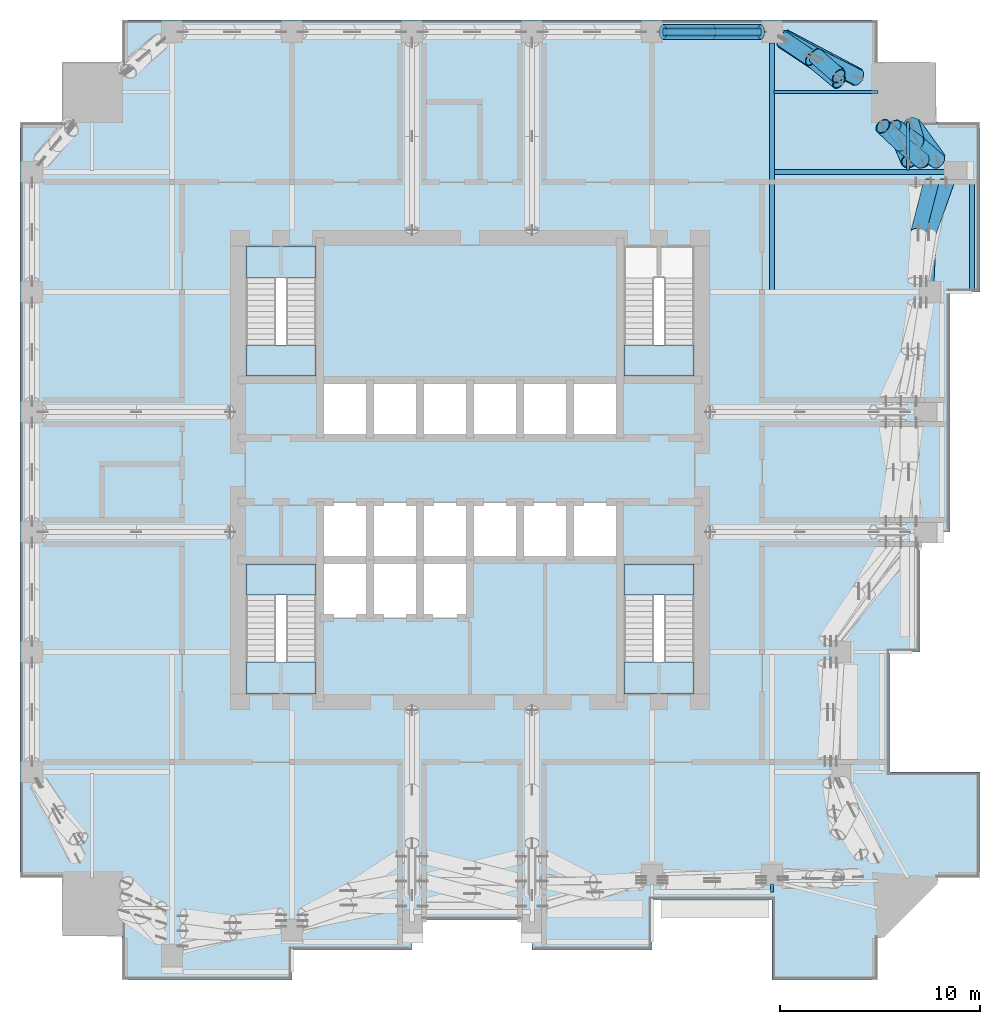
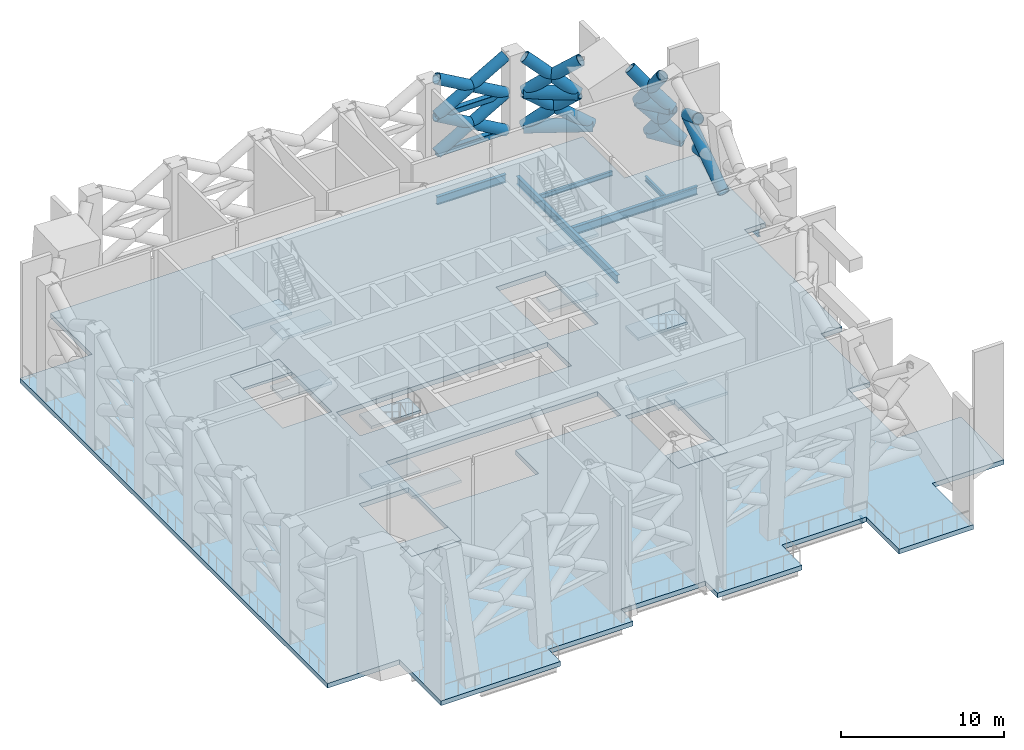
# One storey, part 6 of 19: 21 members, 15 slabs, 13 beams, 4 elements without a shape of their own.
"""IFC4 building model written with IfcOpenShell, lengths in metres."""

from ifc_helpers import new_model, si_unit, direction, frame, origin, origin_2d, place, context, subcontext, project, spatial, polyline, hollow_rectangle, hollow_circle, i_section, outline, extrude, material, layer, layer_set, material_profile, profile_set, type_object, element, aggregate, save


model = new_model("IFC4")

# Units and contexts
model_context = context("Model", 3, precision=1e-05, world=origin(), true_north=direction((0.0, 1.0)))
body_context = subcontext(model_context, "Body", "Model", "MODEL_VIEW")
ifc_project = project(units=[si_unit("LENGTHUNIT", "METRE"), si_unit("AREAUNIT", "SQUARE_METRE"), si_unit("VOLUMEUNIT", "CUBIC_METRE"), si_unit("PLANEANGLEUNIT", "RADIAN"), si_unit("MASSUNIT", "GRAM", prefix="KILO")], contexts=[model_context])

# Site, building, storey
site_placement = place(None, origin())
site = spatial("IfcSite", under=ifc_project, at=site_placement, CompositionType="ELEMENT")
building_placement = place(site_placement, origin())
building = spatial("IfcBuilding", under=site, at=building_placement, Name="Amberfall Residences", CompositionType="ELEMENT")
storey_placement = place(building_placement, frame((0.0, 0.0, 124.89990234375)))
storey = spatial("IfcBuildingStorey", under=building, at=storey_placement, Name="L34", CompositionType="ELEMENT", Elevation=124.89990234375)

# Beams
ifc_material_1 = material(Name="Steel S355", Category="steel")
ifc_material_profile_1 = material_profile(ifc_material_1, hollow_circle(Radius=0.457275390625, WallThickness=0.06005859375, at=origin_2d()), Name="CHS 914.4x60")
ifc_profile_set_1 = profile_set([ifc_material_profile_1], Name="Steel S355")
beam_type_1 = type_object("IfcBeamType", Name="Belt truss chord BT CHS 914.4x60", PredefinedType="BEAM", material=ifc_profile_set_1)
beam_1_placement = place(storey_placement, frame((96.57568359375, 62.7841796875, 3.0), z_axis=(0.582281802343, -0.812987024903, 0.0), x_axis=(0.812987024903, 0.582281802343, 0.0)))
element("IfcBeam", 1, at=beam_1_placement, inside=storey, type_object=beam_type_1, Name="Belt truss chord BT2 L34 NEE", PredefinedType="BEAM", context=body_context, shape_type="SweptSolid", body=[
    extrude(hollow_circle(Radius=0.457275390625, WallThickness=0.06005859375, at=origin_2d()), origin(), (0.0, 0.0, 1.0), 2.256103515625),
])
beam_2_placement = place(storey_placement, frame((95.737548828125, 62.64990234375, 5.646484375), z_axis=(0.631032925413, -0.775756048668, 0.0), x_axis=(0.775756048668, 0.631032925413, 0.0)))
element("IfcBeam", 2, at=beam_2_placement, inside=storey, type_object=beam_type_1, Name="Belt truss chord BT2 L34 NEEm", PredefinedType="BEAM", context=body_context, shape_type="SweptSolid", body=[
    extrude(hollow_circle(Radius=0.457275390625, WallThickness=0.06005859375, at=origin_2d()), origin(), (0.0, 0.0, 1.0), 2.19140625),
])
beam_3_placement = place(storey_placement, frame((93.914794921875, 65.11865234375, 3.0), z_axis=(-0.884049935487, 0.467392459894, 0.0), x_axis=(-0.467392459894, -0.884049935487, 0.0)))
element("IfcBeam", 3, at=beam_3_placement, inside=storey, type_object=beam_type_1, Name="Belt truss chord BT2 L34 NEN", PredefinedType="BEAM", context=body_context, shape_type="SweptSolid", body=[
    extrude(hollow_circle(Radius=0.457275390625, WallThickness=0.06005859375, at=origin_2d()), origin(), (0.0, 0.0, 1.0), 4.2587890625),
])
beam_4_placement = place(storey_placement, frame((92.934326171875, 65.193603515625, 5.646484375), z_axis=(-0.833980207781, 0.551794357555, 0.0), x_axis=(-0.551794357555, -0.833980207781, 0.0)))
element("IfcBeam", 4, at=beam_4_placement, inside=storey, type_object=beam_type_1, Name="Belt truss chord BT2 L34 NENm", PredefinedType="BEAM", context=body_context, shape_type="SweptSolid", body=[
    extrude(hollow_circle(Radius=0.457275390625, WallThickness=0.06005859375, at=origin_2d()), origin(), (0.0, 0.0, 1.0), 3.338623046875),
])
ifc_material_profile_2 = material_profile(ifc_material_1, hollow_rectangle(XDim=0.39990234375, YDim=0.39990234375, WallThickness=0.02001953125, InnerFilletRadius=0.02001953125, OuterFilletRadius=0.030029296875, at=origin_2d()), Name="RHS 400x400x20")
ifc_profile_set_2 = profile_set([ifc_material_profile_2], Name="Steel S355")
beam_type_2 = type_object("IfcBeamType", Name="Belt truss chord BT RHS 400x400x20", PredefinedType="BEAM", material=ifc_profile_set_2)
for number, where, z_axis, x_axis, name in (
    (5, (84.14990234375, 67.39990234375, 2.900146484375), (1.0, 0.0, 0.0), (0.0, 1.0, 0.0), "Belt truss chord BT3 L34 N5"),
    (6, (84.14990234375, 67.39990234375, 5.7001953125), (1.0, 0.0, 0.0), (0.0, 1.0, 0.0), "Belt truss chord BT3 L34 N5m"),
):
    element("IfcBeam", number, at=place(storey_placement, frame(where, z_axis=z_axis, x_axis=x_axis)), inside=storey, type_object=beam_type_2, Name=name, PredefinedType="BEAM", context=body_context, shape_type="SweptSolid", body=[
        extrude(hollow_rectangle(XDim=0.39990234375, YDim=0.39990234375, WallThickness=0.02001953125, InnerFilletRadius=0.02001953125, OuterFilletRadius=0.030029296875, at=origin_2d()), origin(), (0.0, 0.0, 1.0), 4.900146484375),
    ])

# Members
ifc_material_profile_3 = material_profile(ifc_material_1, hollow_circle(Radius=0.381103515625, WallThickness=0.0400390625, at=origin_2d()), Name="CHS 762x40")
ifc_profile_set_3 = profile_set([ifc_material_profile_3], Name="Steel S355")
member_type_1 = type_object("IfcMemberType", Name="Belt truss diagonal BT CHS 762x40", PredefinedType="BRACE", material=ifc_profile_set_3)
member_1_placement = place(storey_placement, frame((97.321533203125, 54.949951171875, 2.900146484375), z_axis=(0.041017977485, 0.867515096006, 0.495716737387), x_axis=(-0.998884069956, 0.047229384803, 0.0)))
element("IfcMember", 7, at=member_1_placement, inside=storey, type_object=member_type_1, Name="Belt truss diagonal BT4 L34 E5d", PredefinedType="BRACE", context=body_context, shape_type="SweptSolid", body=[
    extrude(hollow_circle(Radius=0.381103515625, WallThickness=0.0400390625, at=origin_2d()), origin(), (0.0, 0.0, 1.0), 5.6484375),
])
member_2_placement = place(storey_placement, frame((97.4365234375, 57.380859375, 4.2890625), z_axis=(0.294723209264, 0.832866873007, -0.468477322576), x_axis=(-0.942716410506, 0.333595217837, 0.0)))
element("IfcMember", 8, at=member_2_placement, inside=storey, type_object=member_type_1, Name="Belt truss diagonal BT4 L34 E5e2", PredefinedType="BRACE", context=body_context, shape_type="SweptSolid", body=[
    extrude(hollow_circle(Radius=0.381103515625, WallThickness=0.0400390625, at=origin_2d()), origin(), (0.0, 0.0, 1.0), 2.96484375),
])
member_3_placement = place(storey_placement, frame((96.91650390625, 57.36962890625, 7.082763671875), z_axis=(0.218783914116, 0.852317702231, -0.475066451549), x_axis=(-0.968597962407, 0.24863223287, 0.0)))
element("IfcMember", 9, at=member_3_placement, inside=storey, type_object=member_type_1, Name="Belt truss diagonal BT4 L34 E5e2u", PredefinedType="BRACE", context=body_context, shape_type="SweptSolid", body=[
    extrude(hollow_circle(Radius=0.381103515625, WallThickness=0.0400390625, at=origin_2d()), origin(), (0.0, 0.0, 1.0), 2.91015625),
])
member_4_placement = place(storey_placement, frame((84.14990234375, 67.39990234375, 2.900146484375), z_axis=(0.868245804187, 0.0, 0.496134279718), x_axis=(0.0, 1.0, 0.0)))
element("IfcMember", 10, at=member_4_placement, inside=storey, type_object=member_type_1, Name="Belt truss diagonal BT4 L34 N5d", PredefinedType="BRACE", context=body_context, shape_type="SweptSolid", body=[
    extrude(hollow_circle(Radius=0.381103515625, WallThickness=0.0400390625, at=origin_2d()), origin(), (0.0, 0.0, 1.0), 5.643798828125),
])
member_5_placement = place(storey_placement, frame((84.14990234375, 67.39990234375, 5.7001953125), z_axis=(0.868237818238, 0.0, -0.496148255042), x_axis=(0.0, 1.0, 0.0)))
element("IfcMember", 11, at=member_5_placement, inside=storey, type_object=member_type_1, Name="Belt truss diagonal BT4 L34 N5e", PredefinedType="BRACE", context=body_context, shape_type="SweptSolid", body=[
    extrude(hollow_circle(Radius=0.381103515625, WallThickness=0.0400390625, at=origin_2d()), origin(), (0.0, 0.0, 1.0), 2.822021484375),
])
member_6_placement = place(storey_placement, frame((86.60009765625, 67.39990234375, 4.300048828125), z_axis=(0.868253790854, 0.0, -0.496120302616), x_axis=(0.0, 1.0, 0.0)))
element("IfcMember", 12, at=member_6_placement, inside=storey, type_object=member_type_1, Name="Belt truss diagonal BT4 L34 N5e2", PredefinedType="BRACE", context=body_context, shape_type="SweptSolid", body=[
    extrude(hollow_circle(Radius=0.381103515625, WallThickness=0.0400390625, at=origin_2d()), origin(), (0.0, 0.0, 1.0), 2.82177734375),
])
member_7_placement = place(storey_placement, frame((84.14990234375, 67.39990234375, 5.7001953125), z_axis=(0.868264438383, 0.0, 0.496101668047), x_axis=(0.0, 1.0, 0.0)))
element("IfcMember", 13, at=member_7_placement, inside=storey, type_object=member_type_1, Name="Belt truss diagonal BT4 L34 N5du", PredefinedType="BRACE", context=body_context, shape_type="SweptSolid", body=[
    extrude(hollow_circle(Radius=0.381103515625, WallThickness=0.0400390625, at=origin_2d()), origin(), (0.0, 0.0, 1.0), 5.6435546875),
])
member_8_placement = place(storey_placement, frame((84.14990234375, 67.39990234375, 8.5), z_axis=(0.868275084713, 0.0, -0.49608303465), x_axis=(0.0, 1.0, 0.0)))
element("IfcMember", 14, at=member_8_placement, inside=storey, type_object=member_type_1, Name="Belt truss diagonal BT4 L34 N5eu", PredefinedType="BRACE", context=body_context, shape_type="SweptSolid", body=[
    extrude(hollow_circle(Radius=0.381103515625, WallThickness=0.0400390625, at=origin_2d()), origin(), (0.0, 0.0, 1.0), 2.822021484375),
])
member_9_placement = place(storey_placement, frame((86.60009765625, 67.39990234375, 7.10009765625), z_axis=(0.868253790854, 0.0, -0.496120302616), x_axis=(0.0, 1.0, 0.0)))
element("IfcMember", 15, at=member_9_placement, inside=storey, type_object=member_type_1, Name="Belt truss diagonal BT4 L34 N5e2u", PredefinedType="BRACE", context=body_context, shape_type="SweptSolid", body=[
    extrude(hollow_circle(Radius=0.381103515625, WallThickness=0.0400390625, at=origin_2d()), origin(), (0.0, 0.0, 1.0), 2.82177734375),
])
ifc_material_profile_4 = material_profile(ifc_material_1, hollow_circle(Radius=0.406494140625, WallThickness=0.050048828125, at=origin_2d()), Name="CHS 813x50")
ifc_profile_set_4 = profile_set([ifc_material_profile_4], Name="Steel S355")
member_type_2 = type_object("IfcMemberType", Name="Belt truss diagonal BT CHS 813x50", PredefinedType="BRACE", material=ifc_profile_set_4)
member_10_placement = place(storey_placement, frame((96.57568359375, 62.7841796875, 3.0), z_axis=(0.166786255594, -0.561660752254, 0.810382344528), x_axis=(0.958626738281, 0.28466607921, 0.0)))
element("IfcMember", 16, at=member_10_placement, inside=storey, type_object=member_type_2, Name="Belt truss diagonal BT5 L34 NEEd", PredefinedType="BRACE", context=body_context, shape_type="SweptSolid", body=[
    extrude(hollow_circle(Radius=0.406494140625, WallThickness=0.050048828125, at=origin_2d()), origin(), (0.0, 0.0, 1.0), 3.265625),
])
member_11_placement = place(storey_placement, frame((95.737548828125, 62.64990234375, 5.646484375), z_axis=(0.591207674609, -0.425209280951, -0.685325143911), x_axis=(0.58388842243, 0.811833917838, 0.0)))
element("IfcMember", 17, at=member_11_placement, inside=storey, type_object=member_type_2, Name="Belt truss diagonal BT5 L34 NEEe", PredefinedType="BRACE", context=body_context, shape_type="SweptSolid", body=[
    extrude(hollow_circle(Radius=0.406494140625, WallThickness=0.050048828125, at=origin_2d()), origin(), (0.0, 0.0, 1.0), 1.888427734375),
])
member_12_placement = place(storey_placement, frame((96.85400390625, 61.846923828125, 4.352294921875), z_axis=(0.537892798241, -0.465979283362, -0.702520209729), x_axis=(0.654774470254, 0.755824313649, 0.0)))
element("IfcMember", 18, at=member_12_placement, inside=storey, type_object=member_type_2, Name="Belt truss diagonal BT5 L34 NEEe2", PredefinedType="BRACE", context=body_context, shape_type="SweptSolid", body=[
    extrude(hollow_circle(Radius=0.406494140625, WallThickness=0.050048828125, at=origin_2d()), origin(), (0.0, 0.0, 1.0), 1.9248046875),
])
member_13_placement = place(storey_placement, frame((95.737548828125, 62.64990234375, 5.646484375), z_axis=(0.221325494813, -0.527048365384, 0.820509016338), x_axis=(0.922003850607, 0.387180706474, 0.0)))
element("IfcMember", 19, at=member_13_placement, inside=storey, type_object=member_type_2, Name="Belt truss diagonal BT5 L34 NEEdu", PredefinedType="BRACE", context=body_context, shape_type="SweptSolid", body=[
    extrude(hollow_circle(Radius=0.406494140625, WallThickness=0.050048828125, at=origin_2d()), origin(), (0.0, 0.0, 1.0), 3.225341796875),
])
member_14_placement = place(storey_placement, frame((95.14599609375, 62.6904296875, 8.29296875), z_axis=(0.511154609372, -0.479972204631, -0.712985026561), x_axis=(0.684521396105, 0.7289927697, 0.0)))
element("IfcMember", 20, at=member_14_placement, inside=storey, type_object=member_type_2, Name="Belt truss diagonal BT5 L34 NEEeu", PredefinedType="BRACE", context=body_context, shape_type="SweptSolid", body=[
    extrude(hollow_circle(Radius=0.406494140625, WallThickness=0.050048828125, at=origin_2d()), origin(), (0.0, 0.0, 1.0), 1.85546875),
])
member_15_placement = place(storey_placement, frame((96.094482421875, 61.7998046875, 6.969970703125), z_axis=(0.546307049607, -0.452568976602, -0.704790698695), x_axis=(0.637946454188, 0.770080724073, 0.0)))
element("IfcMember", 21, at=member_15_placement, inside=storey, type_object=member_type_2, Name="Belt truss diagonal BT5 L34 NEEe2u", PredefinedType="BRACE", context=body_context, shape_type="SweptSolid", body=[
    extrude(hollow_circle(Radius=0.406494140625, WallThickness=0.050048828125, at=origin_2d()), origin(), (0.0, 0.0, 1.0), 1.8779296875),
])
member_16_placement = place(storey_placement, frame((93.914794921875, 65.11865234375, 3.0), z_axis=(-0.755185510672, 0.384571157208, 0.530848254697), x_axis=(-0.453789005236, -0.891109162071, 0.0)))
element("IfcMember", 22, at=member_16_placement, inside=storey, type_object=member_type_2, Name="Belt truss diagonal BT5 L34 NENd", PredefinedType="BRACE", context=body_context, shape_type="SweptSolid", body=[
    extrude(hollow_circle(Radius=0.406494140625, WallThickness=0.050048828125, at=origin_2d()), origin(), (0.0, 0.0, 1.0), 4.9853515625),
])
member_17_placement = place(storey_placement, frame((92.934326171875, 65.193603515625, 5.646484375), z_axis=(-0.597491120224, 0.526543843433, -0.6047775973), x_axis=(-0.661159641741, -0.750245245325, 0.0)))
element("IfcMember", 23, at=member_17_placement, inside=storey, type_object=member_type_2, Name="Belt truss diagonal BT5 L34 NENe", PredefinedType="BRACE", context=body_context, shape_type="SweptSolid", body=[
    extrude(hollow_circle(Radius=0.406494140625, WallThickness=0.050048828125, at=origin_2d()), origin(), (0.0, 0.0, 1.0), 1.909912109375),
])
member_18_placement = place(storey_placement, frame((91.793212890625, 66.19921875, 4.491455078125), z_axis=(-0.68513822554, 0.3793656465, -0.621825794061), x_axis=(-0.484406483465, -0.874843048082, 0.0)))
element("IfcMember", 24, at=member_18_placement, inside=storey, type_object=member_type_2, Name="Belt truss diagonal BT5 L34 NENe2", PredefinedType="BRACE", context=body_context, shape_type="SweptSolid", body=[
    extrude(hollow_circle(Radius=0.406494140625, WallThickness=0.050048828125, at=origin_2d()), origin(), (0.0, 0.0, 1.0), 2.3984375),
])
member_19_placement = place(storey_placement, frame((92.934326171875, 65.193603515625, 5.646484375), z_axis=(-0.656332358895, 0.424357283165, 0.623817866762), x_axis=(-0.542955104012, -0.83976172515, 0.0)))
element("IfcMember", 25, at=member_19_placement, inside=storey, type_object=member_type_2, Name="Belt truss diagonal BT5 L34 NENdu", PredefinedType="BRACE", context=body_context, shape_type="SweptSolid", body=[
    extrude(hollow_circle(Radius=0.406494140625, WallThickness=0.050048828125, at=origin_2d()), origin(), (0.0, 0.0, 1.0), 4.242431640625),
])
member_20_placement = place(storey_placement, frame((92.94970703125, 64.92578125, 8.29296875), z_axis=(-0.614434508806, 0.512083083997, -0.600200924252), x_axis=(-0.640224483389, -0.768187874722, 0.0)))
element("IfcMember", 26, at=member_20_placement, inside=storey, type_object=member_type_2, Name="Belt truss diagonal BT5 L34 NENeu", PredefinedType="BRACE", context=body_context, shape_type="SweptSolid", body=[
    extrude(hollow_circle(Radius=0.406494140625, WallThickness=0.050048828125, at=origin_2d()), origin(), (0.0, 0.0, 1.0), 2.2470703125),
])
member_21_placement = place(storey_placement, frame((91.569091796875, 66.076416015625, 6.9443359375), z_axis=(-0.660330641092, 0.446430314724, -0.603873677627), x_axis=(-0.560082169138, -0.828437060865, 0.0)))
element("IfcMember", 27, at=member_21_placement, inside=storey, type_object=member_type_2, Name="Belt truss diagonal BT5 L34 NENe2u", PredefinedType="BRACE", context=body_context, shape_type="SweptSolid", body=[
    extrude(hollow_circle(Radius=0.406494140625, WallThickness=0.050048828125, at=origin_2d()), origin(), (0.0, 0.0, 1.0), 2.149169921875),
])

# Beams
ifc_material_profile_5 = material_profile(ifc_material_1, i_section(OverallWidth=0.171142578125, OverallDepth=0.351318359375, WebThickness=0.007080078125, FlangeThickness=0.009765625, FilletRadius=0.01025390625, at=origin_2d()), Name="UB 356x171x45")
ifc_profile_set_5 = profile_set([ifc_material_profile_5], Name="Steel S355")
beam_type_3 = type_object("IfcBeamType", Name="Cantilever girder UB 356x171x45", PredefinedType="BEAM", material=ifc_profile_set_5)
beam_5_placement = place(storey_placement, frame((89.60009765625, 24.800048828125, -0.525634765625), z_axis=(0.0, -1.0, 0.0), x_axis=(1.0, 0.0, 0.0)))
element("IfcBeam", 28, at=beam_5_placement, inside=storey, type_object=beam_type_3, Name="Cantilever girder B8 L34 08", PredefinedType="BEAM", context=body_context, shape_type="SweptSolid", body=[
    extrude(i_section(OverallWidth=0.171142578125, OverallDepth=0.351318359375, WebThickness=0.007080078125, FlangeThickness=0.009765625, FilletRadius=0.01025390625, at=origin_2d()), origin(), (0.0, 0.0, 1.0), 0.400146484375),
])
ifc_material_profile_6 = material_profile(ifc_material_1, i_section(OverallWidth=0.228271484375, OverallDepth=0.607666015625, WebThickness=0.010986328125, FlangeThickness=0.017333984375, FilletRadius=0.0126953125, at=origin_2d()), Name="UB 610x229x113")
ifc_profile_set_6 = profile_set([ifc_material_profile_6], Name="Steel S355")
beam_type_4 = type_object("IfcBeamType", Name="Edge beam UB 610x229x113", PredefinedType="SPANDREL", material=ifc_profile_set_6)
beam_6_placement = place(storey_placement, frame((99.60009765625, 54.47998046875, -0.65380859375), z_axis=(0.0, 1.0, 0.0), x_axis=(-1.0, 0.0, 0.0)))
element("IfcBeam", 29, at=beam_6_placement, inside=storey, type_object=beam_type_4, Name="Edge beam B12 L34 19", PredefinedType="SPANDREL", context=body_context, shape_type="SweptSolid", body=[
    extrude(i_section(OverallWidth=0.228271484375, OverallDepth=0.607666015625, WebThickness=0.010986328125, FlangeThickness=0.017333984375, FilletRadius=0.0126953125, at=origin_2d()), origin(), (0.0, 0.0, 1.0), 5.3701171875),
])
beam_7_placement = place(storey_placement, frame((84.14990234375, 67.39990234375, -0.65380859375), z_axis=(1.0, 0.0, 0.0), x_axis=(0.0, 1.0, 0.0)))
element("IfcBeam", 30, at=beam_7_placement, inside=storey, type_object=beam_type_4, Name="Edge beam B12 L34 33", PredefinedType="SPANDREL", context=body_context, shape_type="SweptSolid", body=[
    extrude(i_section(OverallWidth=0.228271484375, OverallDepth=0.607666015625, WebThickness=0.010986328125, FlangeThickness=0.017333984375, FilletRadius=0.0126953125, at=origin_2d()), origin(), (0.0, 0.0, 1.0), 4.900146484375),
])
ifc_material_profile_7 = material_profile(ifc_material_1, i_section(OverallWidth=0.230224609375, OverallDepth=0.6171875, WebThickness=0.01318359375, FlangeThickness=0.022216796875, FilletRadius=0.0126953125, at=origin_2d()), Name="UB 610x229x140")
ifc_profile_set_7 = profile_set([ifc_material_profile_7], Name="Steel S355")
beam_type_5 = type_object("IfcBeamType", Name="Floor girder UB 610x229x140", PredefinedType="BEAM", material=ifc_profile_set_7)
beam_8_placement = place(storey_placement, frame((98.60009765625, 60.39990234375, -0.658447265625), z_axis=(-1.0, 0.0, 0.0), x_axis=(0.0, -1.0, 0.0)))
element("IfcBeam", 31, at=beam_8_placement, inside=storey, type_object=beam_type_5, Name="Floor girder B13 L34 28", PredefinedType="BEAM", context=body_context, shape_type="SweptSolid", body=[
    extrude(i_section(OverallWidth=0.230224609375, OverallDepth=0.6171875, WebThickness=0.01318359375, FlangeThickness=0.022216796875, FilletRadius=0.0126953125, at=origin_2d()), origin(), (0.0, 0.0, 1.0), 8.880126953125),
])
beam_9_placement = place(storey_placement, frame((89.60009765625, 66.85009765625, -0.658447265625), z_axis=(0.0, -1.0, 0.0), x_axis=(1.0, 0.0, 0.0)))
element("IfcBeam", 32, at=beam_9_placement, inside=storey, type_object=beam_type_5, Name="Floor girder B13 L34 39", PredefinedType="BEAM", context=body_context, shape_type="SweptSolid", body=[
    extrude(i_section(OverallWidth=0.230224609375, OverallDepth=0.6171875, WebThickness=0.01318359375, FlangeThickness=0.022216796875, FilletRadius=0.0126953125, at=origin_2d()), origin(), (0.0, 0.0, 1.0), 12.340087890625),
])
ifc_material_profile_8 = material_profile(ifc_material_1, i_section(OverallWidth=0.171142578125, OverallDepth=0.351318359375, WebThickness=0.007080078125, FlangeThickness=0.009765625, FilletRadius=0.01025390625, at=origin_2d()), Name="UB 356x171x45")
ifc_profile_set_8 = profile_set([ifc_material_profile_8], Name="Steel S355")
beam_type_6 = type_object("IfcBeamType", Name="Link beam UB 356x171x45", PredefinedType="BEAM", material=ifc_profile_set_8)
beam_10_placement = place(storey_placement, frame((94.89990234375, 64.39990234375, -0.525634765625), z_axis=(-1.0, 0.0, 0.0), x_axis=(0.0, -1.0, 0.0)))
element("IfcBeam", 33, at=beam_10_placement, inside=storey, type_object=beam_type_6, Name="Link beam B7 L34 56", PredefinedType="BEAM", context=body_context, shape_type="SweptSolid", body=[
    extrude(i_section(OverallWidth=0.171142578125, OverallDepth=0.351318359375, WebThickness=0.007080078125, FlangeThickness=0.009765625, FilletRadius=0.01025390625, at=origin_2d()), origin(), (0.0, 0.0, 1.0), 5.20458984375),
])
beam_11_placement = place(storey_placement, frame((96.39990234375, 62.89990234375, -0.525634765625), z_axis=(0.0, -1.0, 0.0), x_axis=(1.0, 0.0, 0.0)))
element("IfcBeam", 34, at=beam_11_placement, inside=storey, type_object=beam_type_6, Name="Link beam B7 L34 57", PredefinedType="BEAM", context=body_context, shape_type="SweptSolid", body=[
    extrude(i_section(OverallWidth=0.171142578125, OverallDepth=0.351318359375, WebThickness=0.007080078125, FlangeThickness=0.009765625, FilletRadius=0.01025390625, at=origin_2d()), origin(), (0.0, 0.0, 1.0), 2.4052734375),
])

# Slab
ifc_material_2 = material(Name="Concrete C70", Category="concrete")
ifc_layer_1 = layer(ifc_material_2, 0.35009765625)
ifc_layer_set_1 = layer_set([ifc_layer_1], Name="Refuge floor slab 350 C70")
slab_type_1 = type_object("IfcSlabType", Name="Refuge floor slab 350 C70", PredefinedType="FLOOR", material=ifc_layer_set_1)
slab_1_placement = place(storey_placement, frame((0.0, 0.0, -0.349853515625)))
element("IfcSlab", 35, at=slab_1_placement, inside=storey, type_object=slab_type_1, Name="Floor slab S9 L34", PredefinedType="FLOOR", context=body_context, shape_type="SweptSolid", body=[
    extrude(outline(polyline([(89.60009765625, 22.5), (89.60009765625, 24.0), (83.60009765625, 24.0), (83.60009765625, 21.5), (77.60009765625, 21.5), (77.60009765625, 23.0), (71.60009765625, 23.0), (71.60009765625, 22.5), (71.60009765625, 21.5), (65.60009765625, 21.5), (65.60009765625, 20.0), (57.10009765625, 20.0), (57.10009765625, 25.10009765625), (52.0, 25.10009765625), (52.0, 27.89990234375), (52.0, 62.60009765625), (52.0, 62.89990234375), (57.10009765625, 62.89990234375), (57.10009765625, 68.0), (57.39990234375, 68.0), (92.10009765625, 68.0), (94.89990234375, 68.0), (94.89990234375, 62.89990234375), (100.0, 62.89990234375), (100.0, 54.39990234375), (98.5, 54.39990234375), (98.5, 48.39990234375), (98.5, 42.39990234375), (97.0, 42.39990234375), (97.0, 36.39990234375), (96.0, 36.39990234375), (95.5, 36.39990234375), (95.5, 30.39990234375), (97.5, 30.39990234375), (100.0, 30.39990234375), (100.0, 25.10009765625), (94.89990234375, 25.10009765625), (94.89990234375, 20.0), (89.60009765625, 20.0), (89.60009765625, 22.5)]), holes=[polyline([(85.699951171875, 34.300048828125), (85.699951171875, 40.800048828125), (82.199951171875, 40.800048828125), (82.199951171875, 34.300048828125), (85.699951171875, 34.300048828125)]), polyline([(82.199951171875, 50.199951171875), (85.699951171875, 50.199951171875), (85.699951171875, 56.699951171875), (82.199951171875, 56.699951171875), (82.199951171875, 50.199951171875)]), polyline([(69.5, 50.0), (67.0, 50.0), (67.0, 47.10009765625), (69.5, 47.10009765625), (72.0, 47.10009765625), (74.5, 47.10009765625), (77.0, 47.10009765625), (79.5, 47.10009765625), (82.0, 47.10009765625), (82.0, 50.0), (79.5, 50.0), (77.0, 50.0), (74.5, 50.0), (72.0, 50.0), (69.5, 50.0)]), polyline([(74.5, 41.0), (77.0, 41.0), (79.5, 41.0), (82.0, 41.0), (82.0, 43.89990234375), (79.5, 43.89990234375), (77.0, 43.89990234375), (74.5, 43.89990234375), (72.0, 43.89990234375), (69.5, 43.89990234375), (67.0, 43.89990234375), (67.0, 41.0), (67.0, 38.10009765625), (69.5, 38.10009765625), (72.0, 38.10009765625), (74.5, 38.10009765625), (74.5, 41.0)]), polyline([(66.800048828125, 34.300048828125), (66.800048828125, 40.800048828125), (63.300048828125, 40.800048828125), (63.300048828125, 34.300048828125), (66.800048828125, 34.300048828125)]), polyline([(66.800048828125, 50.199951171875), (66.800048828125, 56.699951171875), (63.300048828125, 56.699951171875), (63.300048828125, 50.199951171875), (66.800048828125, 50.199951171875)])]), origin(), (0.0, 0.0, 1.0), 0.349853515625),
])

# Stair, slabs
ifc_material_3 = material(Name="Concrete C40", Category="concrete")
stair_type = type_object("IfcStairType", Name="Exit stair 52 risers 173.1 mm", PredefinedType="HALF_TURN_STAIR", material=ifc_material_3)
stair_1_placement = place(storey_placement, origin())
stair_1 = element("IfcStair", 36, at=stair_1_placement, inside=storey, type_object=stair_type, Name="L34 Exit stair 1", PredefinedType="HALF_TURN_STAIR")
ifc_layer_2 = layer(ifc_material_3, 0.199951171875)
ifc_layer_set_2 = layer_set([ifc_layer_2], Name="Stair landing 200")
slab_type_2 = type_object("IfcSlabType", Name="Stair landing 200", PredefinedType="LANDING", material=ifc_layer_set_2)
slab_2_placement = place(storey_placement, frame((0.0, 0.0, 2.050048828125)))
slab_2 = element("IfcSlab", 37, at=slab_2_placement, type_object=slab_type_2, Name="ST4 landing 1", PredefinedType="LANDING", context=body_context, shape_type="SweptSolid", body=[
    extrude(outline(polyline([(66.800048828125, 39.260009765625), (66.800048828125, 40.800048828125), (63.300048828125, 40.800048828125), (63.300048828125, 39.260009765625), (66.800048828125, 39.260009765625)])), origin(), (0.0, 0.0, 1.0), 0.199951171875),
])
slab_3_placement = place(storey_placement, frame((0.0, 0.0, 4.300048828125)))
slab_3 = element("IfcSlab", 38, at=slab_3_placement, type_object=slab_type_2, Name="ST4 landing 2", PredefinedType="LANDING", context=body_context, shape_type="SweptSolid", body=[
    extrude(outline(polyline([(66.800048828125, 34.300048828125), (66.800048828125, 35.89990234375), (63.300048828125, 35.89990234375), (63.300048828125, 34.300048828125), (66.800048828125, 34.300048828125)])), origin(), (0.0, 0.0, 1.0), 0.199951171875),
])
slab_4_placement = place(storey_placement, frame((0.0, 0.0, 6.550048828125)))
slab_4 = element("IfcSlab", 39, at=slab_4_placement, type_object=slab_type_2, Name="ST4 landing 3", PredefinedType="LANDING", context=body_context, shape_type="SweptSolid", body=[
    extrude(outline(polyline([(66.800048828125, 39.260009765625), (66.800048828125, 40.800048828125), (63.300048828125, 40.800048828125), (63.300048828125, 39.260009765625), (66.800048828125, 39.260009765625)])), origin(), (0.0, 0.0, 1.0), 0.199951171875),
])
slab_5_placement = place(storey_placement, frame((0.0, 0.0, -0.199951171875)))
slab_5 = element("IfcSlab", 40, at=slab_5_placement, type_object=slab_type_2, Name="ST4 landing 4", PredefinedType="LANDING", context=body_context, shape_type="SweptSolid", body=[
    extrude(outline(polyline([(66.800048828125, 34.300048828125), (66.800048828125, 35.89990234375), (63.300048828125, 35.89990234375), (63.300048828125, 34.300048828125), (66.800048828125, 34.300048828125)])), origin(), (0.0, 0.0, 1.0), 0.199951171875),
])
aggregate(stair_1, [slab_2, slab_3, slab_4, slab_5])

stair_2_placement = place(storey_placement, origin())
stair_2 = element("IfcStair", 41, at=stair_2_placement, inside=storey, type_object=stair_type, Name="L34 Exit stair 2", PredefinedType="HALF_TURN_STAIR")
slab_6_placement = place(storey_placement, frame((0.0, 0.0, 2.050048828125)))
slab_6 = element("IfcSlab", 42, at=slab_6_placement, type_object=slab_type_2, Name="ST4 landing 1", PredefinedType="LANDING", context=body_context, shape_type="SweptSolid", body=[
    extrude(outline(polyline([(85.699951171875, 39.260009765625), (85.699951171875, 40.800048828125), (82.199951171875, 40.800048828125), (82.199951171875, 39.260009765625), (85.699951171875, 39.260009765625)])), origin(), (0.0, 0.0, 1.0), 0.199951171875),
])
slab_7_placement = place(storey_placement, frame((0.0, 0.0, 4.300048828125)))
slab_7 = element("IfcSlab", 43, at=slab_7_placement, type_object=slab_type_2, Name="ST4 landing 2", PredefinedType="LANDING", context=body_context, shape_type="SweptSolid", body=[
    extrude(outline(polyline([(85.699951171875, 34.300048828125), (85.699951171875, 35.89990234375), (82.199951171875, 35.89990234375), (82.199951171875, 34.300048828125), (85.699951171875, 34.300048828125)])), origin(), (0.0, 0.0, 1.0), 0.199951171875),
])
slab_8_placement = place(storey_placement, frame((0.0, 0.0, 6.550048828125)))
slab_8 = element("IfcSlab", 44, at=slab_8_placement, type_object=slab_type_2, Name="ST4 landing 3", PredefinedType="LANDING", context=body_context, shape_type="SweptSolid", body=[
    extrude(outline(polyline([(85.699951171875, 39.260009765625), (85.699951171875, 40.800048828125), (82.199951171875, 40.800048828125), (82.199951171875, 39.260009765625), (85.699951171875, 39.260009765625)])), origin(), (0.0, 0.0, 1.0), 0.199951171875),
])
slab_9_placement = place(storey_placement, frame((0.0, 0.0, -0.199951171875)))
slab_9 = element("IfcSlab", 45, at=slab_9_placement, type_object=slab_type_2, Name="ST4 landing 4", PredefinedType="LANDING", context=body_context, shape_type="SweptSolid", body=[
    extrude(outline(polyline([(85.699951171875, 34.300048828125), (85.699951171875, 35.89990234375), (82.199951171875, 35.89990234375), (82.199951171875, 34.300048828125), (85.699951171875, 34.300048828125)])), origin(), (0.0, 0.0, 1.0), 0.199951171875),
])
aggregate(stair_2, [slab_6, slab_7, slab_8, slab_9])

stair_3_placement = place(storey_placement, origin())
stair_3 = element("IfcStair", 46, at=stair_3_placement, inside=storey, type_object=stair_type, Name="L34 Exit stair 3", PredefinedType="HALF_TURN_STAIR")
slab_10_placement = place(storey_placement, frame((0.0, 0.0, 2.050048828125)))
slab_10 = element("IfcSlab", 47, at=slab_10_placement, type_object=slab_type_2, Name="ST4 landing 1", PredefinedType="LANDING", context=body_context, shape_type="SweptSolid", body=[
    extrude(outline(polyline([(82.199951171875, 51.739990234375), (82.199951171875, 50.199951171875), (85.699951171875, 50.199951171875), (85.699951171875, 51.739990234375), (82.199951171875, 51.739990234375)])), origin(), (0.0, 0.0, 1.0), 0.199951171875),
])
slab_11_placement = place(storey_placement, frame((0.0, 0.0, 6.550048828125)))
slab_11 = element("IfcSlab", 48, at=slab_11_placement, type_object=slab_type_2, Name="ST4 landing 3", PredefinedType="LANDING", context=body_context, shape_type="SweptSolid", body=[
    extrude(outline(polyline([(82.199951171875, 51.739990234375), (82.199951171875, 50.199951171875), (85.699951171875, 50.199951171875), (85.699951171875, 51.739990234375), (82.199951171875, 51.739990234375)])), origin(), (0.0, 0.0, 1.0), 0.199951171875),
])
aggregate(stair_3, [slab_10, slab_11])

stair_4_placement = place(storey_placement, origin())
stair_4 = element("IfcStair", 49, at=stair_4_placement, inside=storey, type_object=stair_type, Name="L34 Exit stair 4", PredefinedType="HALF_TURN_STAIR")
slab_12_placement = place(storey_placement, frame((0.0, 0.0, 2.050048828125)))
slab_12 = element("IfcSlab", 50, at=slab_12_placement, type_object=slab_type_2, Name="ST4 landing 1", PredefinedType="LANDING", context=body_context, shape_type="SweptSolid", body=[
    extrude(outline(polyline([(63.300048828125, 51.739990234375), (63.300048828125, 50.199951171875), (66.800048828125, 50.199951171875), (66.800048828125, 51.739990234375), (63.300048828125, 51.739990234375)])), origin(), (0.0, 0.0, 1.0), 0.199951171875),
])
slab_13_placement = place(storey_placement, frame((0.0, 0.0, 4.300048828125)))
slab_13 = element("IfcSlab", 51, at=slab_13_placement, type_object=slab_type_2, Name="ST4 landing 2", PredefinedType="LANDING", context=body_context, shape_type="SweptSolid", body=[
    extrude(outline(polyline([(63.300048828125, 56.699951171875), (63.300048828125, 55.10009765625), (66.800048828125, 55.10009765625), (66.800048828125, 56.699951171875), (63.300048828125, 56.699951171875)])), origin(), (0.0, 0.0, 1.0), 0.199951171875),
])
slab_14_placement = place(storey_placement, frame((0.0, 0.0, 6.550048828125)))
slab_14 = element("IfcSlab", 52, at=slab_14_placement, type_object=slab_type_2, Name="ST4 landing 3", PredefinedType="LANDING", context=body_context, shape_type="SweptSolid", body=[
    extrude(outline(polyline([(63.300048828125, 51.739990234375), (63.300048828125, 50.199951171875), (66.800048828125, 50.199951171875), (66.800048828125, 51.739990234375), (63.300048828125, 51.739990234375)])), origin(), (0.0, 0.0, 1.0), 0.199951171875),
])
slab_15_placement = place(storey_placement, frame((0.0, 0.0, -0.199951171875)))
slab_15 = element("IfcSlab", 53, at=slab_15_placement, type_object=slab_type_2, Name="ST4 landing 4", PredefinedType="LANDING", context=body_context, shape_type="SweptSolid", body=[
    extrude(outline(polyline([(63.300048828125, 56.699951171875), (63.300048828125, 55.10009765625), (66.800048828125, 55.10009765625), (66.800048828125, 56.699951171875), (63.300048828125, 56.699951171875)])), origin(), (0.0, 0.0, 1.0), 0.199951171875),
])
aggregate(stair_4, [slab_12, slab_13, slab_14, slab_15])

save(model, "model.ifc")
